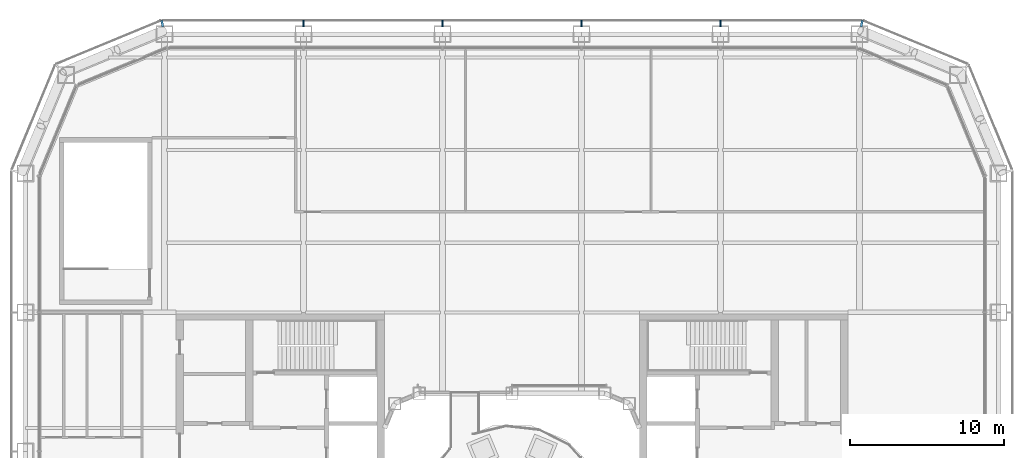
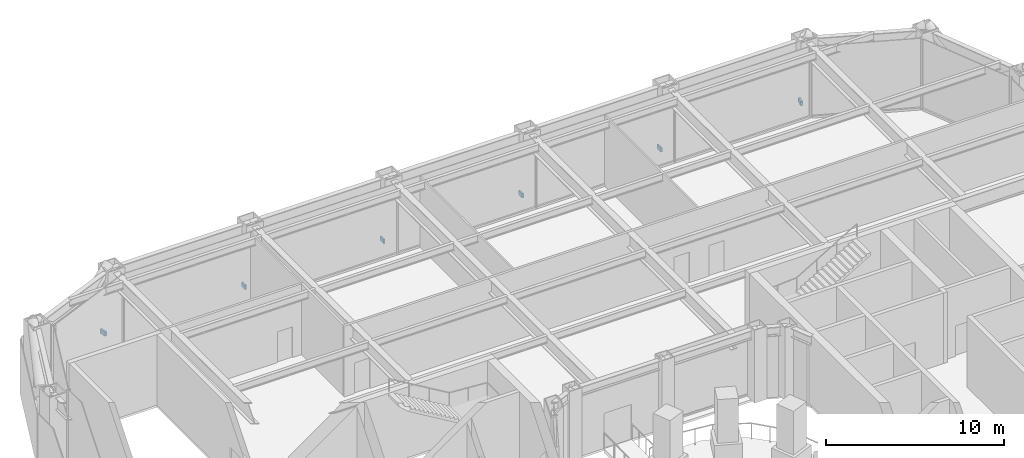
# One storey, part 19 of 25: 6 discrete accessories.
"""IFC4 building model written with IfcOpenShell, lengths in metres."""

from ifc_helpers import new_model, si_unit, direction, frame, origin, origin_2d, place, context, subcontext, project, spatial, rectangle, extrude, material, type_object, element, save


model = new_model("IFC4")

# Units and contexts
model_context = context("Model", 3, precision=1e-05, world=origin(), true_north=direction((0.0, 1.0)))
body_context = subcontext(model_context, "Body", "Model", "MODEL_VIEW")
ifc_project = project(units=[si_unit("LENGTHUNIT", "METRE"), si_unit("AREAUNIT", "SQUARE_METRE"), si_unit("VOLUMEUNIT", "CUBIC_METRE"), si_unit("PLANEANGLEUNIT", "RADIAN"), si_unit("MASSUNIT", "GRAM", prefix="KILO")], contexts=[model_context])

# Site, building, storey
site_placement = place(None, origin())
site = spatial("IfcSite", under=ifc_project, at=site_placement, CompositionType="ELEMENT")
building_placement = place(site_placement, origin())
building = spatial("IfcBuilding", under=site, at=building_placement, Name="Siwar Civic Tower", CompositionType="ELEMENT")
storey_placement = place(building_placement, frame((0.0, 0.0, 17.199951171875)))
storey = spatial("IfcBuildingStorey", under=building, at=storey_placement, Name="L03", CompositionType="ELEMENT", Elevation=17.199951171875)

# Discrete accessories
ifc_material = material(Name="Stainless steel 316", Category="steel")
discrete_accessory_type = type_object("IfcDiscreteAccessoryType", Name="ENV-BRACKET", PredefinedType="BRACKET", material=ifc_material)
for number, where, z_axis, x_axis, name in (
    (1, (13.5, 32.18994140625, -0.14990234375), (0.0, 0.0, 1.0), (0.0, 1.0, 0.0), "Bracket outer skin joint N-01"),
    (2, (4.5, 32.18994140625, -0.14990234375), (0.0, 0.0, 1.0), (0.0, 1.0, 0.0), "Bracket outer skin joint N-02"),
    (3, (-4.5, 32.18994140625, -0.14990234375), (0.0, 0.0, 1.0), (0.0, 1.0, 0.0), "Bracket outer skin joint N-03"),
    (4, (-13.5, 32.18994140625, -0.14990234375), (0.0, 0.0, 1.0), (0.0, 1.0, 0.0), "Bracket outer skin joint N-04"),
):
    element("IfcDiscreteAccessory", number, at=place(storey_placement, frame(where, z_axis=z_axis, x_axis=x_axis)), inside=storey, type_object=discrete_accessory_type, Name=name, PredefinedType="BRACKET", context=body_context, shape_type="SweptSolid", body=[
        extrude(rectangle(XDim=0.419921875, YDim=0.10009765625, at=origin_2d()), origin(), (0.0, 0.0, 1.0), 0.300048828125),
    ])
for number, where, z_axis, x_axis, name in (
    (5, (22.63720703125, 32.190185546875, -0.14990234375), (0.0, 0.0, 1.0), (0.195090322016, 0.980785280403, 0.0), "Bracket outer skin joint V06"),
    (6, (-22.63720703125, 32.190185546875, -0.14990234375), (0.0, 0.0, 1.0), (-0.195090322016, 0.980785280403, 0.0), "Bracket outer skin joint V07"),
):
    element("IfcDiscreteAccessory", number, at=place(storey_placement, frame(where, z_axis=z_axis, x_axis=x_axis)), inside=storey, type_object=discrete_accessory_type, Name=name, PredefinedType="BRACKET", context=body_context, shape_type="SweptSolid", body=[
        extrude(rectangle(XDim=0.427734375, YDim=0.13720703125, at=origin_2d()), origin(), (0.0, 0.0, 1.0), 0.300048828125),
    ])

save(model, "model.ifc")
